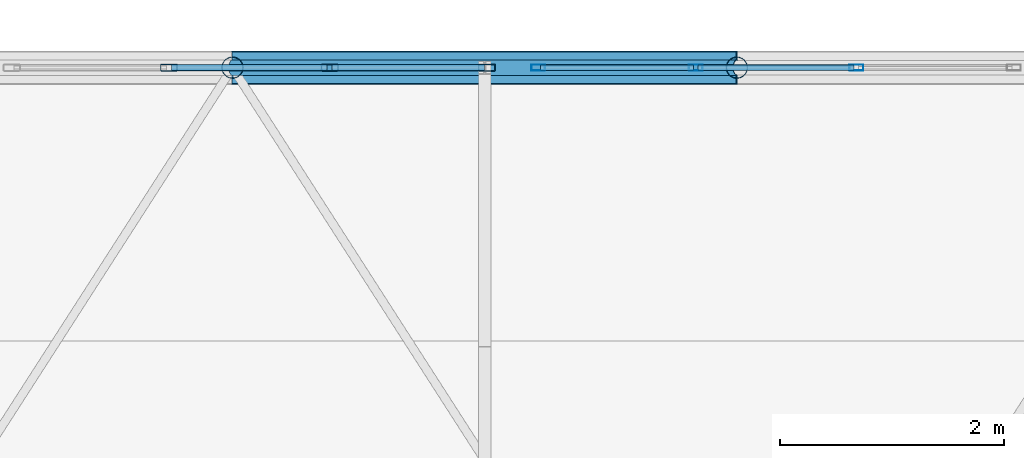
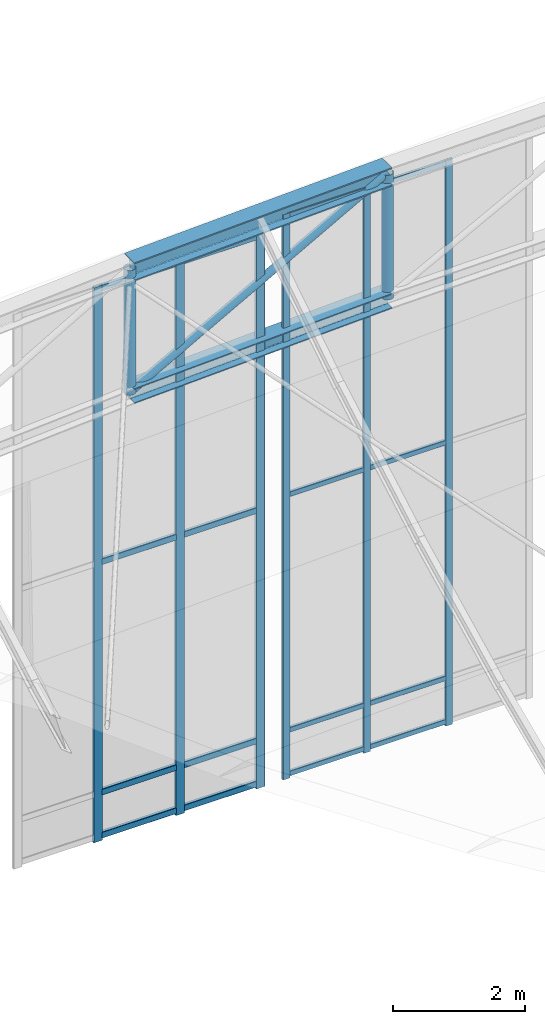
# One storey, part 209 of 262: 27 members, 2 elements without a shape of their own.
"""IFC4 building model written with IfcOpenShell, lengths in metres."""

from ifc_helpers import new_model, si_unit, derived_unit, direction, frame, origin, origin_2d, place, context, subcontext, project, spatial, hollow_rectangle, hollow_circle, i_section, extrude, material, layer, layer_set, material_profile, profile_set, type_object, element, aggregate, save


model = new_model("IFC4")

# Units and contexts
model_context = context("Model", 3, precision=1e-05, world=origin(), true_north=direction((0.0, 1.0)))
body_context = subcontext(model_context, "Body", "Model", "MODEL_VIEW")
ifc_project = project(units=[si_unit("LENGTHUNIT", "METRE"), si_unit("AREAUNIT", "SQUARE_METRE"), si_unit("VOLUMEUNIT", "CUBIC_METRE"), si_unit("PLANEANGLEUNIT", "RADIAN"), si_unit("MASSUNIT", "GRAM", prefix="KILO"), derived_unit("THERMALTRANSMITTANCEUNIT", [(si_unit("POWERUNIT", "WATT"), 1), (si_unit("LENGTHUNIT", "METRE"), -2), (si_unit("THERMODYNAMICTEMPERATUREUNIT", "KELVIN"), -1)])], contexts=[model_context])

# Site, building, storey
site_placement = place(None, origin())
site = spatial("IfcSite", under=ifc_project, at=site_placement, CompositionType="ELEMENT")
building_placement = place(site_placement, origin())
building = spatial("IfcBuilding", under=site, at=building_placement, Name="Almenara Railside Exhibition Hall", CompositionType="ELEMENT")
storey_placement = place(building_placement, frame((0.0, 0.0, 21.699951171875)))
storey = spatial("IfcBuildingStorey", under=building, at=storey_placement, Name="RF", CompositionType="ELEMENT", Elevation=21.699951171875)

# Members
ifc_material_1 = material(Name="Structural steel S355JR", Category="steel")
ifc_material_profile_1 = material_profile(ifc_material_1, i_section(OverallWidth=0.280029296875, OverallDepth=0.280029296875, WebThickness=0.010498046875, FlangeThickness=0.01806640625, FilletRadius=0.02392578125, at=origin_2d()), Name="HEB 280")
ifc_profile_set_1 = profile_set([ifc_material_profile_1], Name="Structural steel S355JR")
member_type_1 = type_object("IfcMemberType", Name="Arched Gable Bottom Chord HEB 280 S355JR", PredefinedType="CHORD", material=ifc_profile_set_1)
member_1_placement = place(storey_placement, frame((156.0, 132.0, 1.355712890625), z_axis=(0.999173184279, 0.0, 0.040656460949), x_axis=(0.0, 1.0, 0.0)))
element("IfcMember", 1, at=member_1_placement, inside=storey, type_object=member_type_1, Name="MEM-BC-V2-07-04", PredefinedType="CHORD", context=body_context, shape_type="SweptSolid", body=[
    extrude(i_section(OverallWidth=0.280029296875, OverallDepth=0.280029296875, WebThickness=0.010498046875, FlangeThickness=0.01806640625, FilletRadius=0.02392578125, at=origin_2d()), origin(), (0.0, 0.0, 1.0), 4.503662109375),
])
ifc_material_profile_2 = material_profile(ifc_material_1, i_section(OverallWidth=0.300048828125, OverallDepth=0.340087890625, WebThickness=0.011962890625, FlangeThickness=0.021484375, FilletRadius=0.027099609375, at=origin_2d()), Name="HEB 340")
ifc_profile_set_2 = profile_set([ifc_material_profile_2], Name="Structural steel S355JR")
member_type_2 = type_object("IfcMemberType", Name="Arched Gable Top Chord HEB 340 S355JR", PredefinedType="CHORD", material=ifc_profile_set_2)
member_2_placement = place(storey_placement, frame((156.0, 132.0, 3.655517578125), z_axis=(0.99917098071, 0.0, 0.04071057978), x_axis=(0.0, 1.0, 0.0)))
element("IfcMember", 2, at=member_2_placement, inside=storey, type_object=member_type_2, Name="MEM-TC-V2-07-04", PredefinedType="CHORD", context=body_context, shape_type="SweptSolid", body=[
    extrude(i_section(OverallWidth=0.300048828125, OverallDepth=0.340087890625, WebThickness=0.011962890625, FlangeThickness=0.021484375, FilletRadius=0.027099609375, at=origin_2d()), origin(), (0.0, 0.0, 1.0), 4.503662109375),
])

# Curtain wall, members
ifc_material_2 = material(Name="Bronze-anodised aluminium and low-E double glazing", Category="aluminium")
ifc_layer = layer(ifc_material_2, 0.179931640625, Name="Bronze-anodised aluminium and low-E double glazing")
ifc_layer_set = layer_set([ifc_layer], Name="Bronze-anodised aluminium and low-E double glazing")
curtain_wall_type = type_object("IfcCurtainWallType", Name="Scroll Gable Tall Curtain Wall 3800x5400", PredefinedType="NOTDEFINED", material=ifc_layer_set)
curtain_wall_1_placement = place(storey_placement, origin())
curtain_wall_1 = element("IfcCurtainWall", 3, at=curtain_wall_1_placement, inside=storey, type_object=curtain_wall_type, Name="Curtain wall CW-G1-227", PredefinedType="NOTDEFINED")
ifc_material_3 = material(Name="Bronze-anodised aluminium", Category="aluminium")
ifc_material_profile_3 = material_profile(ifc_material_3, hollow_rectangle(XDim=0.054931640625, YDim=0.125, WallThickness=0.0029296875, InnerFilletRadius=0.0029296875, OuterFilletRadius=0.006103515625, at=origin_2d()), Name="ALU-MUL 55x125x3")
ifc_profile_set_3 = profile_set([ifc_material_profile_3], Name="Bronze-anodised aluminium")
member_type_3 = type_object("IfcMemberType", Name="Curtain Wall Mullion 55x125x3", PredefinedType="MULLION", material=ifc_profile_set_3)
member_3_placement = place(storey_placement, frame((158.7275390625, 132.0, -6.73486328125), z_axis=(0.0, 0.0, 1.0), x_axis=(0.0, 1.0, 0.0)))
member_3 = element("IfcMember", 4, at=member_3_placement, type_object=member_type_3, Name="CW-G1-227 mullion 1", PredefinedType="MULLION", context=body_context, shape_type="SweptSolid", body=[
    extrude(hollow_rectangle(XDim=0.054931640625, YDim=0.125, WallThickness=0.0029296875, InnerFilletRadius=0.0029296875, OuterFilletRadius=0.006103515625, at=origin_2d()), origin(), (0.0, 0.0, 1.0), 10.434814453125),
])
member_4_placement = place(storey_placement, frame((160.13330078125, 132.0, -6.73486328125), z_axis=(0.0, 0.0, 1.0), x_axis=(0.0, 1.0, 0.0)))
member_4 = element("IfcMember", 5, at=member_4_placement, type_object=member_type_3, Name="CW-G1-227 mullion 2", PredefinedType="MULLION", context=body_context, shape_type="SweptSolid", body=[
    extrude(hollow_rectangle(XDim=0.054931640625, YDim=0.125, WallThickness=0.0029296875, InnerFilletRadius=0.0029296875, OuterFilletRadius=0.006103515625, at=origin_2d()), origin(), (0.0, 0.0, 1.0), 10.434814453125),
])
member_5_placement = place(storey_placement, frame((161.566650390625, 132.0, -6.73486328125), z_axis=(0.0, 0.0, 1.0), x_axis=(0.0, 1.0, 0.0)))
member_5 = element("IfcMember", 6, at=member_5_placement, type_object=member_type_3, Name="CW-G1-227 mullion 3", PredefinedType="MULLION", context=body_context, shape_type="SweptSolid", body=[
    extrude(hollow_rectangle(XDim=0.054931640625, YDim=0.125, WallThickness=0.0029296875, InnerFilletRadius=0.0029296875, OuterFilletRadius=0.006103515625, at=origin_2d()), origin(), (0.0, 0.0, 1.0), 10.434814453125),
])

curtain_wall_2_placement = place(storey_placement, origin())
curtain_wall_2 = element("IfcCurtainWall", 7, at=curtain_wall_2_placement, inside=storey, type_object=curtain_wall_type, Name="Curtain wall CW-G1-226", PredefinedType="NOTDEFINED")
ifc_material_profile_4 = material_profile(ifc_material_3, hollow_rectangle(XDim=0.06005859375, YDim=0.14990234375, WallThickness=0.00341796875, InnerFilletRadius=0.00341796875, OuterFilletRadius=0.007080078125, at=origin_2d()), Name="ALU-MUL 60x150x3.5")
ifc_profile_set_4 = profile_set([ifc_material_profile_4], Name="Bronze-anodised aluminium")
member_type_4 = type_object("IfcMemberType", Name="Curtain Wall Mullion 60x150x3.5", PredefinedType="MULLION", material=ifc_profile_set_4)
member_6_placement = place(storey_placement, frame((155.433349609375, 132.0, -6.73486328125), z_axis=(0.0, 0.0, 1.0), x_axis=(0.0, 1.0, 0.0)))
member_6 = element("IfcMember", 8, at=member_6_placement, type_object=member_type_4, Name="CW-G1-226 mullion 2", PredefinedType="MULLION", context=body_context, shape_type="SweptSolid", body=[
    extrude(hollow_rectangle(XDim=0.06005859375, YDim=0.14990234375, WallThickness=0.00341796875, InnerFilletRadius=0.00341796875, OuterFilletRadius=0.007080078125, at=origin_2d()), origin(), (0.0, 0.0, 1.0), 10.244873046875),
])
member_7_placement = place(storey_placement, frame((156.86669921875, 132.0, -6.73486328125), z_axis=(0.0, 0.0, 1.0), x_axis=(0.0, 1.0, 0.0)))
member_7 = element("IfcMember", 9, at=member_7_placement, type_object=member_type_4, Name="CW-G1-226 mullion 3", PredefinedType="MULLION", context=body_context, shape_type="SweptSolid", body=[
    extrude(hollow_rectangle(XDim=0.06005859375, YDim=0.14990234375, WallThickness=0.00341796875, InnerFilletRadius=0.00341796875, OuterFilletRadius=0.007080078125, at=origin_2d()), origin(), (0.0, 0.0, 1.0), 10.244873046875),
])
member_8_placement = place(storey_placement, frame((158.27001953125, 132.0, -6.73486328125), z_axis=(0.0, 0.0, 1.0), x_axis=(0.0, 1.0, 0.0)))
member_8 = element("IfcMember", 10, at=member_8_placement, type_object=member_type_4, Name="CW-G1-226 mullion 4", PredefinedType="MULLION", context=body_context, shape_type="SweptSolid", body=[
    extrude(hollow_rectangle(XDim=0.06005859375, YDim=0.14990234375, WallThickness=0.00341796875, InnerFilletRadius=0.00341796875, OuterFilletRadius=0.007080078125, at=origin_2d()), origin(), (0.0, 0.0, 1.0), 10.244873046875),
])

# Member
ifc_material_profile_5 = material_profile(ifc_material_3, hollow_rectangle(XDim=0.054931640625, YDim=0.090087890625, WallThickness=0.0029296875, InnerFilletRadius=0.0029296875, OuterFilletRadius=0.006103515625, at=origin_2d()), Name="ALU-TRN 55x90x3")
ifc_profile_set_5 = profile_set([ifc_material_profile_5], Name="Bronze-anodised aluminium")
member_type_5 = type_object("IfcMemberType", Name="Curtain Wall Transom 55x90x3", PredefinedType="USERDEFINED", material=ifc_profile_set_5)
member_9_placement = place(storey_placement, frame((158.7470703125, 132.0, -6.655029296875), z_axis=(1.0, 0.0, 0.0), x_axis=(0.0, 1.0, 0.0)))
member_9 = element("IfcMember", 11, at=member_9_placement, type_object=member_type_5, Name="CW-G1-227 transom 1.1", ObjectType="TRANSOM", PredefinedType="USERDEFINED", context=body_context, shape_type="SweptSolid", body=[
    extrude(hollow_rectangle(XDim=0.054931640625, YDim=0.090087890625, WallThickness=0.0029296875, InnerFilletRadius=0.0029296875, OuterFilletRadius=0.006103515625, at=origin_2d()), origin(), (0.0, 0.0, 1.0), 1.36669921875),
])

member_10_placement = place(storey_placement, frame((158.7470703125, 132.0, -5.849853515625), z_axis=(1.0, 0.0, 0.0), x_axis=(0.0, 1.0, 0.0)))
member_10 = element("IfcMember", 12, at=member_10_placement, type_object=member_type_5, Name="CW-G1-227 transom 1.2", ObjectType="TRANSOM", PredefinedType="USERDEFINED", context=body_context, shape_type="SweptSolid", body=[
    extrude(hollow_rectangle(XDim=0.054931640625, YDim=0.090087890625, WallThickness=0.0029296875, InnerFilletRadius=0.0029296875, OuterFilletRadius=0.006103515625, at=origin_2d()), origin(), (0.0, 0.0, 1.0), 1.36669921875),
])

member_11_placement = place(storey_placement, frame((158.7470703125, 132.0, -1.5), z_axis=(1.0, 0.0, 0.0), x_axis=(0.0, 1.0, 0.0)))
member_11 = element("IfcMember", 13, at=member_11_placement, type_object=member_type_5, Name="CW-G1-227 transom 1.3", ObjectType="TRANSOM", PredefinedType="USERDEFINED", context=body_context, shape_type="SweptSolid", body=[
    extrude(hollow_rectangle(XDim=0.054931640625, YDim=0.090087890625, WallThickness=0.0029296875, InnerFilletRadius=0.0029296875, OuterFilletRadius=0.006103515625, at=origin_2d()), origin(), (0.0, 0.0, 1.0), 1.36669921875),
])

member_12_placement = place(storey_placement, frame((158.7470703125, 132.0, 3.655029296875), z_axis=(1.0, 0.0, 0.0), x_axis=(0.0, 1.0, 0.0)))
member_12 = element("IfcMember", 14, at=member_12_placement, type_object=member_type_5, Name="CW-G1-227 transom 1.4", ObjectType="TRANSOM", PredefinedType="USERDEFINED", context=body_context, shape_type="SweptSolid", body=[
    extrude(hollow_rectangle(XDim=0.054931640625, YDim=0.090087890625, WallThickness=0.0029296875, InnerFilletRadius=0.0029296875, OuterFilletRadius=0.006103515625, at=origin_2d()), origin(), (0.0, 0.0, 1.0), 1.36669921875),
])

member_13_placement = place(storey_placement, frame((160.15283203125, 132.0, -6.655029296875), z_axis=(1.0, 0.0, 0.0), x_axis=(0.0, 1.0, 0.0)))
member_13 = element("IfcMember", 15, at=member_13_placement, type_object=member_type_5, Name="CW-G1-227 transom 2.1", ObjectType="TRANSOM", PredefinedType="USERDEFINED", context=body_context, shape_type="SweptSolid", body=[
    extrude(hollow_rectangle(XDim=0.054931640625, YDim=0.090087890625, WallThickness=0.0029296875, InnerFilletRadius=0.0029296875, OuterFilletRadius=0.006103515625, at=origin_2d()), origin(), (0.0, 0.0, 1.0), 1.394287109375),
])

member_14_placement = place(storey_placement, frame((160.15283203125, 132.0, -5.849853515625), z_axis=(1.0, 0.0, 0.0), x_axis=(0.0, 1.0, 0.0)))
member_14 = element("IfcMember", 16, at=member_14_placement, type_object=member_type_5, Name="CW-G1-227 transom 2.2", ObjectType="TRANSOM", PredefinedType="USERDEFINED", context=body_context, shape_type="SweptSolid", body=[
    extrude(hollow_rectangle(XDim=0.054931640625, YDim=0.090087890625, WallThickness=0.0029296875, InnerFilletRadius=0.0029296875, OuterFilletRadius=0.006103515625, at=origin_2d()), origin(), (0.0, 0.0, 1.0), 1.394287109375),
])

member_15_placement = place(storey_placement, frame((160.15283203125, 132.0, -1.5), z_axis=(1.0, 0.0, 0.0), x_axis=(0.0, 1.0, 0.0)))
member_15 = element("IfcMember", 17, at=member_15_placement, type_object=member_type_5, Name="CW-G1-227 transom 2.3", ObjectType="TRANSOM", PredefinedType="USERDEFINED", context=body_context, shape_type="SweptSolid", body=[
    extrude(hollow_rectangle(XDim=0.054931640625, YDim=0.090087890625, WallThickness=0.0029296875, InnerFilletRadius=0.0029296875, OuterFilletRadius=0.006103515625, at=origin_2d()), origin(), (0.0, 0.0, 1.0), 1.394287109375),
])

member_16_placement = place(storey_placement, frame((160.15283203125, 132.0, 3.655029296875), z_axis=(1.0, 0.0, 0.0), x_axis=(0.0, 1.0, 0.0)))
member_16 = element("IfcMember", 18, at=member_16_placement, type_object=member_type_5, Name="CW-G1-227 transom 2.4", ObjectType="TRANSOM", PredefinedType="USERDEFINED", context=body_context, shape_type="SweptSolid", body=[
    extrude(hollow_rectangle(XDim=0.054931640625, YDim=0.090087890625, WallThickness=0.0029296875, InnerFilletRadius=0.0029296875, OuterFilletRadius=0.006103515625, at=origin_2d()), origin(), (0.0, 0.0, 1.0), 1.394287109375),
])

aggregate(curtain_wall_1, [member_3, member_4, member_5, member_9, member_10, member_11, member_12, member_13, member_14, member_15, member_16])

ifc_material_profile_6 = material_profile(ifc_material_3, hollow_rectangle(XDim=0.06005859375, YDim=0.110107421875, WallThickness=0.0029296875, InnerFilletRadius=0.0029296875, OuterFilletRadius=0.006103515625, at=origin_2d()), Name="ALU-TRN 60x110x3")
ifc_profile_set_6 = profile_set([ifc_material_profile_6], Name="Bronze-anodised aluminium")
member_type_6 = type_object("IfcMemberType", Name="Curtain Wall Transom 60x110x3", PredefinedType="USERDEFINED", material=ifc_profile_set_6)
member_17_placement = place(storey_placement, frame((155.455322265625, 132.0, -6.64501953125), z_axis=(1.0, 0.0, 0.0), x_axis=(0.0, 1.0, 0.0)))
member_17 = element("IfcMember", 19, at=member_17_placement, type_object=member_type_6, Name="CW-G1-226 transom 2.1", ObjectType="TRANSOM", PredefinedType="USERDEFINED", context=body_context, shape_type="SweptSolid", body=[
    extrude(hollow_rectangle(XDim=0.06005859375, YDim=0.110107421875, WallThickness=0.0029296875, InnerFilletRadius=0.0029296875, OuterFilletRadius=0.006103515625, at=origin_2d()), origin(), (0.0, 0.0, 1.0), 1.389404296875),
])

member_18_placement = place(storey_placement, frame((155.455322265625, 132.0, -5.849853515625), z_axis=(1.0, 0.0, 0.0), x_axis=(0.0, 1.0, 0.0)))
member_18 = element("IfcMember", 20, at=member_18_placement, type_object=member_type_6, Name="CW-G1-226 transom 2.2", ObjectType="TRANSOM", PredefinedType="USERDEFINED", context=body_context, shape_type="SweptSolid", body=[
    extrude(hollow_rectangle(XDim=0.06005859375, YDim=0.110107421875, WallThickness=0.0029296875, InnerFilletRadius=0.0029296875, OuterFilletRadius=0.006103515625, at=origin_2d()), origin(), (0.0, 0.0, 1.0), 1.389404296875),
])

member_19_placement = place(storey_placement, frame((155.455322265625, 132.0, -1.594970703125), z_axis=(1.0, 0.0, 0.0), x_axis=(0.0, 1.0, 0.0)))
member_19 = element("IfcMember", 21, at=member_19_placement, type_object=member_type_6, Name="CW-G1-226 transom 2.3", ObjectType="TRANSOM", PredefinedType="USERDEFINED", context=body_context, shape_type="SweptSolid", body=[
    extrude(hollow_rectangle(XDim=0.06005859375, YDim=0.110107421875, WallThickness=0.0029296875, InnerFilletRadius=0.0029296875, OuterFilletRadius=0.006103515625, at=origin_2d()), origin(), (0.0, 0.0, 1.0), 1.389404296875),
])

member_20_placement = place(storey_placement, frame((155.455322265625, 132.0, 3.455078125), z_axis=(1.0, 0.0, 0.0), x_axis=(0.0, 1.0, 0.0)))
member_20 = element("IfcMember", 22, at=member_20_placement, type_object=member_type_6, Name="CW-G1-226 transom 2.4", ObjectType="TRANSOM", PredefinedType="USERDEFINED", context=body_context, shape_type="SweptSolid", body=[
    extrude(hollow_rectangle(XDim=0.06005859375, YDim=0.110107421875, WallThickness=0.0029296875, InnerFilletRadius=0.0029296875, OuterFilletRadius=0.006103515625, at=origin_2d()), origin(), (0.0, 0.0, 1.0), 1.389404296875),
])

member_21_placement = place(storey_placement, frame((156.888671875, 132.0, -6.64501953125), z_axis=(1.0, 0.0, 0.0), x_axis=(0.0, 1.0, 0.0)))
member_21 = element("IfcMember", 23, at=member_21_placement, type_object=member_type_6, Name="CW-G1-226 transom 3.1", ObjectType="TRANSOM", PredefinedType="USERDEFINED", context=body_context, shape_type="SweptSolid", body=[
    extrude(hollow_rectangle(XDim=0.06005859375, YDim=0.110107421875, WallThickness=0.0029296875, InnerFilletRadius=0.0029296875, OuterFilletRadius=0.006103515625, at=origin_2d()), origin(), (0.0, 0.0, 1.0), 1.359375),
])

member_22_placement = place(storey_placement, frame((156.888671875, 132.0, -5.849853515625), z_axis=(1.0, 0.0, 0.0), x_axis=(0.0, 1.0, 0.0)))
member_22 = element("IfcMember", 24, at=member_22_placement, type_object=member_type_6, Name="CW-G1-226 transom 3.2", ObjectType="TRANSOM", PredefinedType="USERDEFINED", context=body_context, shape_type="SweptSolid", body=[
    extrude(hollow_rectangle(XDim=0.06005859375, YDim=0.110107421875, WallThickness=0.0029296875, InnerFilletRadius=0.0029296875, OuterFilletRadius=0.006103515625, at=origin_2d()), origin(), (0.0, 0.0, 1.0), 1.359375),
])

member_23_placement = place(storey_placement, frame((156.888671875, 132.0, -1.594970703125), z_axis=(1.0, 0.0, 0.0), x_axis=(0.0, 1.0, 0.0)))
member_23 = element("IfcMember", 25, at=member_23_placement, type_object=member_type_6, Name="CW-G1-226 transom 3.3", ObjectType="TRANSOM", PredefinedType="USERDEFINED", context=body_context, shape_type="SweptSolid", body=[
    extrude(hollow_rectangle(XDim=0.06005859375, YDim=0.110107421875, WallThickness=0.0029296875, InnerFilletRadius=0.0029296875, OuterFilletRadius=0.006103515625, at=origin_2d()), origin(), (0.0, 0.0, 1.0), 1.359375),
])

member_24_placement = place(storey_placement, frame((156.888671875, 132.0, 3.455078125), z_axis=(1.0, 0.0, 0.0), x_axis=(0.0, 1.0, 0.0)))
member_24 = element("IfcMember", 26, at=member_24_placement, type_object=member_type_6, Name="CW-G1-226 transom 3.4", ObjectType="TRANSOM", PredefinedType="USERDEFINED", context=body_context, shape_type="SweptSolid", body=[
    extrude(hollow_rectangle(XDim=0.06005859375, YDim=0.110107421875, WallThickness=0.0029296875, InnerFilletRadius=0.0029296875, OuterFilletRadius=0.006103515625, at=origin_2d()), origin(), (0.0, 0.0, 1.0), 1.359375),
])

aggregate(curtain_wall_2, [member_6, member_7, member_8, member_17, member_18, member_19, member_20, member_21, member_22, member_23, member_24])

# Members
ifc_material_profile_7 = material_profile(ifc_material_1, hollow_circle(Radius=0.06982421875, WallThickness=0.0048828125, at=origin_2d()), Name="CHS 139.7x5")
ifc_profile_set_7 = profile_set([ifc_material_profile_7], Name="Structural steel S355JR")
member_type_7 = type_object("IfcMemberType", Name="Truss Inner Diagonal CHS 139.7x5 S355JR", PredefinedType="BRACE", material=ifc_profile_set_7)
member_25_placement = place(storey_placement, frame((156.0, 132.0, 1.355712890625), z_axis=(0.875545119572, 0.0, 0.483136361283), x_axis=(0.0, 1.0, 0.0)))
element("IfcMember", 27, at=member_25_placement, inside=storey, type_object=member_type_7, Name="MEM-TD-V2-07-04", PredefinedType="BRACE", context=body_context, shape_type="SweptSolid", body=[
    extrude(hollow_circle(Radius=0.06982421875, WallThickness=0.0048828125, at=origin_2d()), origin(), (0.0, 0.0, 1.0), 5.1396484375),
])
ifc_material_profile_8 = material_profile(ifc_material_1, hollow_circle(Radius=0.096923828125, WallThickness=0.00634765625, at=origin_2d()), Name="CHS 193.7x6.3")
ifc_profile_set_8 = profile_set([ifc_material_profile_8], Name="Structural steel S355JR")
member_type_8 = type_object("IfcMemberType", Name="Truss Standard Vertical Strut CHS 193.7x6.3 S355JR", PredefinedType="BRACE", material=ifc_profile_set_8)
member_26_placement = place(storey_placement, frame((156.0, 132.0, 1.355712890625), z_axis=(0.0, 0.0, 1.0), x_axis=(1.0, 0.0, 0.0)))
element("IfcMember", 28, at=member_26_placement, inside=storey, type_object=member_type_8, Name="MEM-TV-V2-07-04", PredefinedType="BRACE", context=body_context, shape_type="SweptSolid", body=[
    extrude(hollow_circle(Radius=0.096923828125, WallThickness=0.00634765625, at=origin_2d()), origin(), (0.0, 0.0, 1.0), 2.2998046875),
])
member_27_placement = place(storey_placement, frame((160.5, 132.0, 1.538818359375), z_axis=(0.0, 0.0, 1.0), x_axis=(1.0, 0.0, 0.0)))
element("IfcMember", 29, at=member_27_placement, inside=storey, type_object=member_type_8, Name="MEM-TV-V2-07-05", PredefinedType="BRACE", context=body_context, shape_type="SweptSolid", body=[
    extrude(hollow_circle(Radius=0.096923828125, WallThickness=0.00634765625, at=origin_2d()), origin(), (0.0, 0.0, 1.0), 2.300048828125),
])

save(model, "model.ifc")
